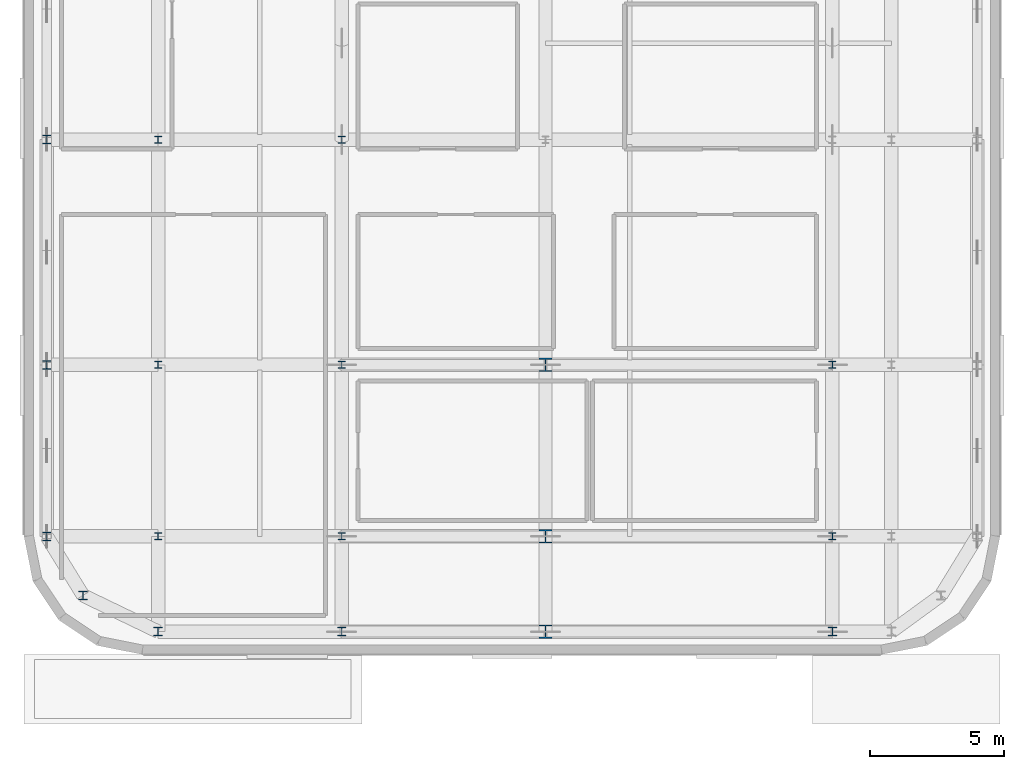
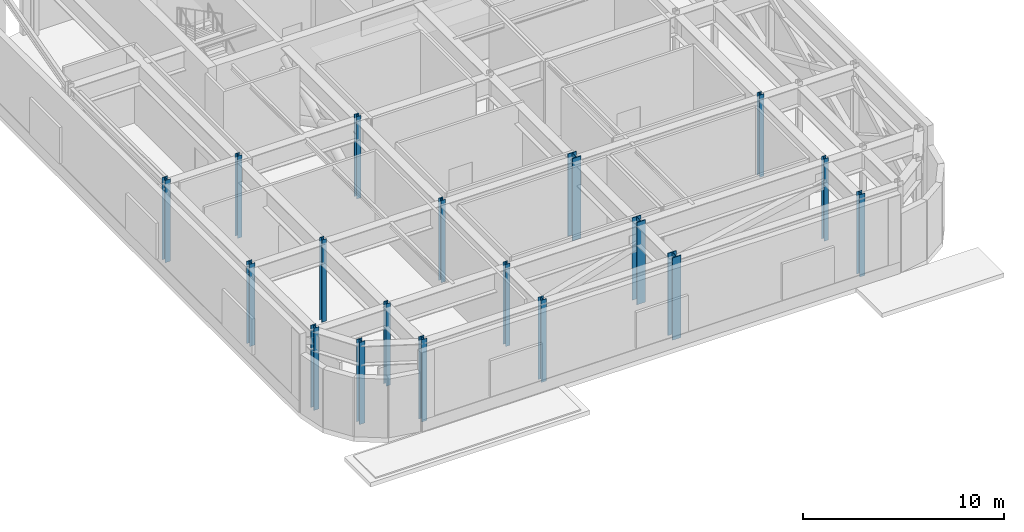
# One storey, part 1 of 13: 18 columns.
"""IFC4 building model written with IfcOpenShell, lengths in metres."""

from ifc_helpers import new_model, si_unit, direction, frame, origin, origin_2d, place, context, subcontext, project, spatial, i_section, extrude, source, transform, mapped, material, material_profile, profile_set, type_object, type_shapes, element, save


model = new_model("IFC4")

# Units and contexts
model_context = context("Model", 3, precision=1e-05, world=origin(), true_north=direction((0.0, 1.0)))
body_context = subcontext(model_context, "Body", "Model", "MODEL_VIEW")
ifc_project = project(units=[si_unit("LENGTHUNIT", "METRE"), si_unit("AREAUNIT", "SQUARE_METRE"), si_unit("VOLUMEUNIT", "CUBIC_METRE"), si_unit("PLANEANGLEUNIT", "RADIAN"), si_unit("MASSUNIT", "GRAM", prefix="KILO")], contexts=[model_context])

# Site, building, storey
site_placement = place(None, origin())
site = spatial("IfcSite", under=ifc_project, at=site_placement, CompositionType="ELEMENT")
building_placement = place(site_placement, origin())
building = spatial("IfcBuilding", under=site, at=building_placement, Name="Tolvann Quenvar Hotel", CompositionType="ELEMENT")
storey_placement = place(building_placement, frame((0.0, 0.0, 270.050048828125)))
storey = spatial("IfcBuildingStorey", under=building, at=storey_placement, Name="L72", CompositionType="ELEMENT", Elevation=270.050048828125)

# Columns
ifc_material = material(Name="Steel Grade 350", Category="steel")
ifc_material_profile_1 = material_profile(ifc_material, i_section(OverallWidth=0.306884765625, OverallDepth=0.31494140625, WebThickness=0.011962890625, FlangeThickness=0.018798828125, FilletRadius=0.0166015625, at=origin_2d()), Name="310UC118")
ifc_profile_set_1 = profile_set([ifc_material_profile_1], Name="Steel Grade 350")
column_type_1 = type_object("IfcColumnType", Name="COL_310UC118", PredefinedType="COLUMN", material=ifc_profile_set_1)
shared_shape_1 = source(origin(), body_context, "Body", "SweptSolid", [
    extrude(i_section(OverallWidth=0.306884765625, OverallDepth=0.31494140625, WebThickness=0.011962890625, FlangeThickness=0.018798828125, FilletRadius=0.0166015625, at=origin_2d()), origin(), (0.0, 0.0, 1.0), 5.0),
])
type_shapes(column_type_1, [shared_shape_1])
for number, where, z_axis, x_axis, name in (
    (1, (4.800048828125, 7.39990234375, 0.0), (0.0, 0.0, 1.0), (1.0, 0.0, 0.0), "Column B2 (L72)"),
    (2, (3.449951171875, 9.60009765625, 0.0), (0.0, 0.0, 1.0), (1.0, 0.0, 0.0), "Column B3 (L72)"),
    (3, (3.449951171875, 16.0, 0.0), (0.0, 0.0, 1.0), (1.0, 0.0, 0.0), "Column B4 (L72)"),
    (4, (3.449951171875, 24.39990234375, 0.0), (0.0, 0.0, 1.0), (1.0, 0.0, 0.0), "Column B5 (L72)"),
    (5, (7.60009765625, 6.050048828125, 0.0), (0.0, 0.0, 1.0), (1.0, 0.0, 0.0), "Column C2 (L72)"),
    (6, (14.449951171875, 6.050048828125, 0.0), (0.0, 0.0, 1.0), (1.0, 0.0, 0.0), "Column D2 (L72)"),
    (7, (32.75, 6.050048828125, 0.0), (0.0, 0.0, 1.0), (1.0, 0.0, 0.0), "Column FP2 (L72)"),
):
    element("IfcColumn", number, at=place(storey_placement, frame(where, z_axis=z_axis, x_axis=x_axis)), inside=storey, type_object=column_type_1, Name=name, PredefinedType="COLUMN", context=body_context, shape_type="MappedRepresentation", body=[
        mapped(shared_shape_1, transform((0.0, 0.0, 0.0), x_axis=(1.0, 0.0, 0.0), y_axis=(0.0, 1.0, 0.0), z_axis=(0.0, 0.0, 1.0), scale=1.0)),
    ])
ifc_material_profile_2 = material_profile(ifc_material, i_section(OverallWidth=0.256103515625, OverallDepth=0.260009765625, WebThickness=0.010498046875, FlangeThickness=0.017333984375, FilletRadius=0.013916015625, at=origin_2d()), Name="250UC90")
ifc_profile_set_2 = profile_set([ifc_material_profile_2], Name="Steel Grade 350")
column_type_2 = type_object("IfcColumnType", Name="COL_250UC90", PredefinedType="COLUMN", material=ifc_profile_set_2)
shared_shape_2 = source(origin(), body_context, "Body", "SweptSolid", [
    extrude(i_section(OverallWidth=0.256103515625, OverallDepth=0.260009765625, WebThickness=0.010498046875, FlangeThickness=0.017333984375, FilletRadius=0.013916015625, at=origin_2d()), origin(), (0.0, 0.0, 1.0), 5.0),
])
type_shapes(column_type_2, [shared_shape_2])
for number, where, z_axis, x_axis, name in (
    (8, (7.60009765625, 9.60009765625, 0.0), (0.0, 0.0, 1.0), (1.0, 0.0, 0.0), "Column C3 (L72)"),
    (9, (7.60009765625, 16.0, 0.0), (0.0, 0.0, 1.0), (1.0, 0.0, 0.0), "Column C4 (L72)"),
    (10, (7.60009765625, 24.39990234375, 0.0), (0.0, 0.0, 1.0), (1.0, 0.0, 0.0), "Column C5 (L72)"),
    (11, (14.449951171875, 9.60009765625, 0.0), (0.0, 0.0, 1.0), (1.0, 0.0, 0.0), "Column D3 (L72)"),
    (12, (14.449951171875, 16.0, 0.0), (0.0, 0.0, 1.0), (1.0, 0.0, 0.0), "Column D4 (L72)"),
    (13, (14.449951171875, 24.39990234375, 0.0), (0.0, 0.0, 1.0), (1.0, 0.0, 0.0), "Column D5 (L72)"),
    (14, (32.75, 9.60009765625, 0.0), (0.0, 0.0, 1.0), (1.0, 0.0, 0.0), "Column FP3 (L72)"),
    (15, (32.75, 16.0, 0.0), (0.0, 0.0, 1.0), (1.0, 0.0, 0.0), "Column FP4 (L72)"),
):
    element("IfcColumn", number, at=place(storey_placement, frame(where, z_axis=z_axis, x_axis=x_axis)), inside=storey, type_object=column_type_2, Name=name, PredefinedType="COLUMN", context=body_context, shape_type="MappedRepresentation", body=[
        mapped(shared_shape_2, transform((0.0, 0.0, 0.0), x_axis=(1.0, 0.0, 0.0), y_axis=(0.0, 1.0, 0.0), z_axis=(0.0, 0.0, 1.0), scale=1.0)),
    ])
ifc_material_profile_3 = material_profile(ifc_material, i_section(OverallWidth=0.5, OverallDepth=0.5, WebThickness=0.028076171875, FlangeThickness=0.044921875, at=origin_2d()), Name="500WC440")
ifc_profile_set_3 = profile_set([ifc_material_profile_3], Name="Steel Grade 350")
column_type_3 = type_object("IfcColumnType", Name="COL_500WC440", PredefinedType="COLUMN", material=ifc_profile_set_3)
shared_shape_3 = source(origin(), body_context, "Body", "SweptSolid", [
    extrude(i_section(OverallWidth=0.5, OverallDepth=0.5, WebThickness=0.028076171875, FlangeThickness=0.044921875, at=origin_2d()), origin(), (0.0, 0.0, 1.0), 5.0),
])
type_shapes(column_type_3, [shared_shape_3])
for number, where, z_axis, x_axis, name in (
    (16, (22.050048828125, 6.050048828125, 0.0), (0.0, 0.0, 1.0), (1.0, 0.0, 0.0), "Column E2 (L72)"),
    (17, (22.050048828125, 9.60009765625, 0.0), (0.0, 0.0, 1.0), (1.0, 0.0, 0.0), "Column E3 (L72)"),
    (18, (22.050048828125, 16.0, 0.0), (0.0, 0.0, 1.0), (1.0, 0.0, 0.0), "Column E4 (L72)"),
):
    element("IfcColumn", number, at=place(storey_placement, frame(where, z_axis=z_axis, x_axis=x_axis)), inside=storey, type_object=column_type_3, Name=name, PredefinedType="COLUMN", context=body_context, shape_type="MappedRepresentation", body=[
        mapped(shared_shape_3, transform((0.0, 0.0, 0.0), x_axis=(1.0, 0.0, 0.0), y_axis=(0.0, 1.0, 0.0), z_axis=(0.0, 0.0, 1.0), scale=1.0)),
    ])

save(model, "model.ifc")
